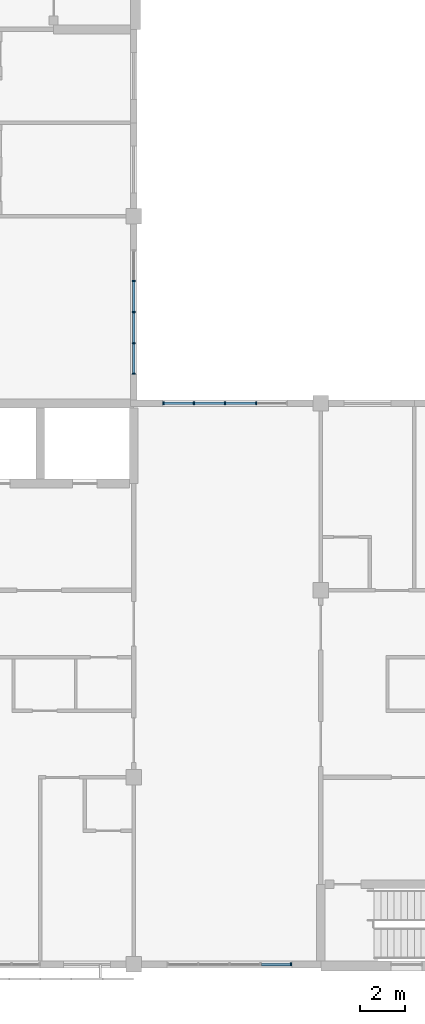
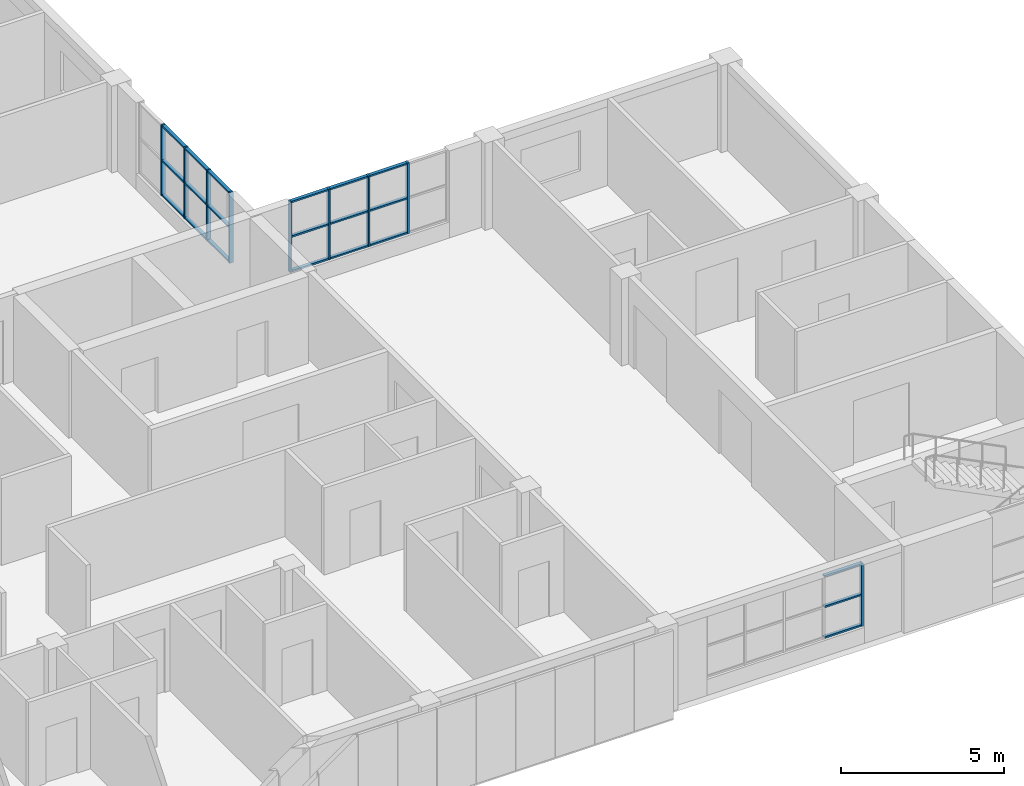
# One storey, part 4 of 46: 30 members, 3 elements without a shape of their own.
"""IFC4 building model written with IfcOpenShell, lengths in metres."""

from ifc_helpers import new_model, si_unit, direction, frame, origin, origin_2d, place, context, subcontext, project, spatial, rectangle, extrude, material, material_profile, profile_set, type_object, element, aggregate, save


model = new_model("IFC4")

# Units and contexts
model_context = context("Model", 3, precision=1e-05, world=origin(), true_north=direction((0.0, 1.0)))
body_context = subcontext(model_context, "Body", "Model", "MODEL_VIEW")
ifc_project = project(units=[si_unit("LENGTHUNIT", "METRE"), si_unit("AREAUNIT", "SQUARE_METRE"), si_unit("VOLUMEUNIT", "CUBIC_METRE"), si_unit("PLANEANGLEUNIT", "RADIAN"), si_unit("MASSUNIT", "GRAM", prefix="KILO")], contexts=[model_context])

# Site, building, storey
site_placement = place(None, origin())
site = spatial("IfcSite", under=ifc_project, at=site_placement, CompositionType="ELEMENT")
building_placement = place(site_placement, origin())
building = spatial("IfcBuilding", under=site, at=building_placement, Name="Yavir Park General Hospital", CompositionType="ELEMENT")
storey_placement = place(building_placement, frame((0.0, 0.0, 18.89990234375)))
storey = spatial("IfcBuildingStorey", under=building, at=storey_placement, Name="L04", CompositionType="ELEMENT", Elevation=18.89990234375)

# Curtain wall, members
ifc_material_1 = material(Name="Aluminium curtain wall frame with insulated glazing", Category="aluminium")
curtain_wall_type_1 = type_object("IfcCurtainWallType", Name="Day room pocket glazing, ward floors, 2360 high, 1400 module", PredefinedType="NOTDEFINED", material=ifc_material_1)
curtain_wall_1_placement = place(storey_placement, origin())
curtain_wall_1 = element("IfcCurtainWall", 1, at=curtain_wall_1_placement, inside=storey, type_object=curtain_wall_type_1, Name="CW6 L04-002", PredefinedType="NOTDEFINED")
ifc_material_2 = material(Name="Aluminium", Category="aluminium")
ifc_material_profile_1 = material_profile(ifc_material_2, rectangle(XDim=0.139892578125, YDim=0.06005859375, at=origin_2d()), Name="AL 60x140")
ifc_profile_set_1 = profile_set([ifc_material_profile_1], Name="Aluminium")
member_type_1 = type_object("IfcMemberType", Name="Day room pocket glazing, ward floors, 2360 high mullion 60 x 140", PredefinedType="MULLION", material=ifc_profile_set_1)
member_1_placement = place(storey_placement, frame((32.27001953125, 0.0, 0.60009765625), z_axis=(0.0, 0.0, 1.0), x_axis=(0.0, 1.0, 0.0)))
member_1 = element("IfcMember", 2, at=member_1_placement, type_object=member_type_1, Name="CW6 mullion 5", PredefinedType="MULLION", context=body_context, shape_type="SweptSolid", body=[
    extrude(rectangle(XDim=0.139892578125, YDim=0.06005859375, at=origin_2d()), origin(), (0.0, 0.0, 1.0), 2.360107421875),
])
ifc_material_3 = material(Name="Aluminium", Category="aluminium")
ifc_material_profile_2 = material_profile(ifc_material_3, rectangle(XDim=0.1201171875, YDim=0.06005859375, at=origin_2d()), Name="AL 120x60")
ifc_profile_set_2 = profile_set([ifc_material_profile_2], Name="Aluminium")
member_type_2 = type_object("IfcMemberType", Name="Day room pocket glazing, ward floors, 2360 high transom 60 x 120", PredefinedType="MULLION", material=ifc_profile_set_2)
member_2_placement = place(storey_placement, frame((30.929931640625, 0.0, 0.630126953125), z_axis=(1.0, 0.0, 0.0), x_axis=(0.0, 1.0, 0.0)))
member_2 = element("IfcMember", 3, at=member_2_placement, type_object=member_type_2, Name="CW6 transom 4.1", PredefinedType="MULLION", context=body_context, shape_type="SweptSolid", body=[
    extrude(rectangle(XDim=0.1201171875, YDim=0.06005859375, at=origin_2d()), origin(), (0.0, 0.0, 1.0), 1.31005859375),
])
member_3_placement = place(storey_placement, frame((30.929931640625, 0.0, 1.780029296875), z_axis=(1.0, 0.0, 0.0), x_axis=(0.0, 1.0, 0.0)))
member_3 = element("IfcMember", 4, at=member_3_placement, type_object=member_type_2, Name="CW6 transom 4.2", PredefinedType="MULLION", context=body_context, shape_type="SweptSolid", body=[
    extrude(rectangle(XDim=0.1201171875, YDim=0.06005859375, at=origin_2d()), origin(), (0.0, 0.0, 1.0), 1.31005859375),
])
member_4_placement = place(storey_placement, frame((30.929931640625, 0.0, 2.93017578125), z_axis=(1.0, 0.0, 0.0), x_axis=(0.0, 1.0, 0.0)))
member_4 = element("IfcMember", 5, at=member_4_placement, type_object=member_type_2, Name="CW6 transom 4.3", PredefinedType="MULLION", context=body_context, shape_type="SweptSolid", body=[
    extrude(rectangle(XDim=0.1201171875, YDim=0.06005859375, at=origin_2d()), origin(), (0.0, 0.0, 1.0), 1.31005859375),
])
aggregate(curtain_wall_1, [member_1, member_2, member_3, member_4])

ifc_material_4 = material(Name="Aluminium curtain wall frame with insulated glazing", Category="aluminium")
curtain_wall_type_2 = type_object("IfcCurtainWallType", Name="Day room pocket glazing, ward floors, 2660 high, 1400 module", PredefinedType="NOTDEFINED", material=ifc_material_4)
curtain_wall_2_placement = place(storey_placement, origin())
curtain_wall_2 = element("IfcCurtainWall", 6, at=curtain_wall_2_placement, inside=storey, type_object=curtain_wall_type_2, Name="CW62 L04-009", PredefinedType="NOTDEFINED")
ifc_material_5 = material(Name="Aluminium", Category="aluminium")
ifc_material_profile_3 = material_profile(ifc_material_5, rectangle(XDim=0.139892578125, YDim=0.06005859375, at=origin_2d()), Name="AL 60x140")
ifc_profile_set_3 = profile_set([ifc_material_profile_3], Name="Aluminium")
member_type_3 = type_object("IfcMemberType", Name="Day room pocket glazing, ward floors, 2660 high mullion 60 x 140", PredefinedType="MULLION", material=ifc_profile_set_3)
member_5_placement = place(storey_placement, frame((26.530029296875, 25.199951171875, 0.60009765625), z_axis=(0.0, 0.0, 1.0), x_axis=(0.0, 1.0, 0.0)))
member_5 = element("IfcMember", 7, at=member_5_placement, type_object=member_type_3, Name="CW62 mullion 1", PredefinedType="MULLION", context=body_context, shape_type="SweptSolid", body=[
    extrude(rectangle(XDim=0.139892578125, YDim=0.06005859375, at=origin_2d()), origin(), (0.0, 0.0, 1.0), 2.659912109375),
])
member_6_placement = place(storey_placement, frame((27.89990234375, 25.199951171875, 0.60009765625), z_axis=(0.0, 0.0, 1.0), x_axis=(0.0, 1.0, 0.0)))
member_6 = element("IfcMember", 8, at=member_6_placement, type_object=member_type_3, Name="CW62 mullion 2", PredefinedType="MULLION", context=body_context, shape_type="SweptSolid", body=[
    extrude(rectangle(XDim=0.139892578125, YDim=0.06005859375, at=origin_2d()), origin(), (0.0, 0.0, 1.0), 2.659912109375),
])
member_7_placement = place(storey_placement, frame((29.300048828125, 25.199951171875, 0.60009765625), z_axis=(0.0, 0.0, 1.0), x_axis=(0.0, 1.0, 0.0)))
member_7 = element("IfcMember", 9, at=member_7_placement, type_object=member_type_3, Name="CW62 mullion 3", PredefinedType="MULLION", context=body_context, shape_type="SweptSolid", body=[
    extrude(rectangle(XDim=0.139892578125, YDim=0.06005859375, at=origin_2d()), origin(), (0.0, 0.0, 1.0), 2.659912109375),
])
member_8_placement = place(storey_placement, frame((30.699951171875, 25.199951171875, 0.60009765625), z_axis=(0.0, 0.0, 1.0), x_axis=(0.0, 1.0, 0.0)))
member_8 = element("IfcMember", 10, at=member_8_placement, type_object=member_type_3, Name="CW62 mullion 4", PredefinedType="MULLION", context=body_context, shape_type="SweptSolid", body=[
    extrude(rectangle(XDim=0.139892578125, YDim=0.06005859375, at=origin_2d()), origin(), (0.0, 0.0, 1.0), 2.659912109375),
])

curtain_wall_3_placement = place(storey_placement, origin())
curtain_wall_3 = element("IfcCurtainWall", 11, at=curtain_wall_3_placement, inside=storey, type_object=curtain_wall_type_2, Name="CW62 L04-021", PredefinedType="NOTDEFINED")
member_9_placement = place(storey_placement, frame((25.199951171875, 26.530029296875, 0.60009765625), z_axis=(0.0, 0.0, 1.0), x_axis=(-1.0, 0.0, 0.0)))
member_9 = element("IfcMember", 12, at=member_9_placement, type_object=member_type_3, Name="CW62 mullion 1", PredefinedType="MULLION", context=body_context, shape_type="SweptSolid", body=[
    extrude(rectangle(XDim=0.139892578125, YDim=0.06005859375, at=origin_2d()), origin(), (0.0, 0.0, 1.0), 2.659912109375),
])
member_10_placement = place(storey_placement, frame((25.199951171875, 27.89990234375, 0.60009765625), z_axis=(0.0, 0.0, 1.0), x_axis=(-1.0, 0.0, 0.0)))
member_10 = element("IfcMember", 13, at=member_10_placement, type_object=member_type_3, Name="CW62 mullion 2", PredefinedType="MULLION", context=body_context, shape_type="SweptSolid", body=[
    extrude(rectangle(XDim=0.139892578125, YDim=0.06005859375, at=origin_2d()), origin(), (0.0, 0.0, 1.0), 2.659912109375),
])
member_11_placement = place(storey_placement, frame((25.199951171875, 29.300048828125, 0.60009765625), z_axis=(0.0, 0.0, 1.0), x_axis=(-1.0, 0.0, 0.0)))
member_11 = element("IfcMember", 14, at=member_11_placement, type_object=member_type_3, Name="CW62 mullion 3", PredefinedType="MULLION", context=body_context, shape_type="SweptSolid", body=[
    extrude(rectangle(XDim=0.139892578125, YDim=0.06005859375, at=origin_2d()), origin(), (0.0, 0.0, 1.0), 2.659912109375),
])
member_12_placement = place(storey_placement, frame((25.199951171875, 30.699951171875, 0.60009765625), z_axis=(0.0, 0.0, 1.0), x_axis=(-1.0, 0.0, 0.0)))
member_12 = element("IfcMember", 15, at=member_12_placement, type_object=member_type_3, Name="CW62 mullion 4", PredefinedType="MULLION", context=body_context, shape_type="SweptSolid", body=[
    extrude(rectangle(XDim=0.139892578125, YDim=0.06005859375, at=origin_2d()), origin(), (0.0, 0.0, 1.0), 2.659912109375),
])

# Member
ifc_material_6 = material(Name="Aluminium", Category="aluminium")
ifc_material_profile_4 = material_profile(ifc_material_6, rectangle(XDim=0.1201171875, YDim=0.06005859375, at=origin_2d()), Name="AL 120x60")
ifc_profile_set_4 = profile_set([ifc_material_profile_4], Name="Aluminium")
member_type_4 = type_object("IfcMemberType", Name="Day room pocket glazing, ward floors, 2660 high transom 60 x 120", PredefinedType="MULLION", material=ifc_profile_set_4)
member_13_placement = place(storey_placement, frame((26.56005859375, 25.199951171875, 0.630126953125), z_axis=(1.0, 0.0, 0.0), x_axis=(0.0, 1.0, 0.0)))
member_13 = element("IfcMember", 16, at=member_13_placement, type_object=member_type_4, Name="CW62 transom 1.1", PredefinedType="MULLION", context=body_context, shape_type="SweptSolid", body=[
    extrude(rectangle(XDim=0.1201171875, YDim=0.06005859375, at=origin_2d()), origin(), (0.0, 0.0, 1.0), 1.31005859375),
])

member_14_placement = place(storey_placement, frame((26.56005859375, 25.199951171875, 1.93017578125), z_axis=(1.0, 0.0, 0.0), x_axis=(0.0, 1.0, 0.0)))
member_14 = element("IfcMember", 17, at=member_14_placement, type_object=member_type_4, Name="CW62 transom 1.2", PredefinedType="MULLION", context=body_context, shape_type="SweptSolid", body=[
    extrude(rectangle(XDim=0.1201171875, YDim=0.06005859375, at=origin_2d()), origin(), (0.0, 0.0, 1.0), 1.31005859375),
])

member_15_placement = place(storey_placement, frame((26.56005859375, 25.199951171875, 3.22998046875), z_axis=(1.0, 0.0, 0.0), x_axis=(0.0, 1.0, 0.0)))
member_15 = element("IfcMember", 18, at=member_15_placement, type_object=member_type_4, Name="CW62 transom 1.3", PredefinedType="MULLION", context=body_context, shape_type="SweptSolid", body=[
    extrude(rectangle(XDim=0.1201171875, YDim=0.06005859375, at=origin_2d()), origin(), (0.0, 0.0, 1.0), 1.31005859375),
])

member_16_placement = place(storey_placement, frame((27.929931640625, 25.199951171875, 0.630126953125), z_axis=(1.0, 0.0, 0.0), x_axis=(0.0, 1.0, 0.0)))
member_16 = element("IfcMember", 19, at=member_16_placement, type_object=member_type_4, Name="CW62 transom 2.1", PredefinedType="MULLION", context=body_context, shape_type="SweptSolid", body=[
    extrude(rectangle(XDim=0.1201171875, YDim=0.06005859375, at=origin_2d()), origin(), (0.0, 0.0, 1.0), 1.340087890625),
])

member_17_placement = place(storey_placement, frame((27.929931640625, 25.199951171875, 1.93017578125), z_axis=(1.0, 0.0, 0.0), x_axis=(0.0, 1.0, 0.0)))
member_17 = element("IfcMember", 20, at=member_17_placement, type_object=member_type_4, Name="CW62 transom 2.2", PredefinedType="MULLION", context=body_context, shape_type="SweptSolid", body=[
    extrude(rectangle(XDim=0.1201171875, YDim=0.06005859375, at=origin_2d()), origin(), (0.0, 0.0, 1.0), 1.340087890625),
])

member_18_placement = place(storey_placement, frame((27.929931640625, 25.199951171875, 3.22998046875), z_axis=(1.0, 0.0, 0.0), x_axis=(0.0, 1.0, 0.0)))
member_18 = element("IfcMember", 21, at=member_18_placement, type_object=member_type_4, Name="CW62 transom 2.3", PredefinedType="MULLION", context=body_context, shape_type="SweptSolid", body=[
    extrude(rectangle(XDim=0.1201171875, YDim=0.06005859375, at=origin_2d()), origin(), (0.0, 0.0, 1.0), 1.340087890625),
])

member_19_placement = place(storey_placement, frame((29.330078125, 25.199951171875, 0.630126953125), z_axis=(1.0, 0.0, 0.0), x_axis=(0.0, 1.0, 0.0)))
member_19 = element("IfcMember", 22, at=member_19_placement, type_object=member_type_4, Name="CW62 transom 3.1", PredefinedType="MULLION", context=body_context, shape_type="SweptSolid", body=[
    extrude(rectangle(XDim=0.1201171875, YDim=0.06005859375, at=origin_2d()), origin(), (0.0, 0.0, 1.0), 1.33984375),
])

member_20_placement = place(storey_placement, frame((29.330078125, 25.199951171875, 1.93017578125), z_axis=(1.0, 0.0, 0.0), x_axis=(0.0, 1.0, 0.0)))
member_20 = element("IfcMember", 23, at=member_20_placement, type_object=member_type_4, Name="CW62 transom 3.2", PredefinedType="MULLION", context=body_context, shape_type="SweptSolid", body=[
    extrude(rectangle(XDim=0.1201171875, YDim=0.06005859375, at=origin_2d()), origin(), (0.0, 0.0, 1.0), 1.33984375),
])

member_21_placement = place(storey_placement, frame((29.330078125, 25.199951171875, 3.22998046875), z_axis=(1.0, 0.0, 0.0), x_axis=(0.0, 1.0, 0.0)))
member_21 = element("IfcMember", 24, at=member_21_placement, type_object=member_type_4, Name="CW62 transom 3.3", PredefinedType="MULLION", context=body_context, shape_type="SweptSolid", body=[
    extrude(rectangle(XDim=0.1201171875, YDim=0.06005859375, at=origin_2d()), origin(), (0.0, 0.0, 1.0), 1.33984375),
])

aggregate(curtain_wall_2, [member_5, member_6, member_7, member_8, member_13, member_14, member_15, member_16, member_17, member_18, member_19, member_20, member_21])

member_22_placement = place(storey_placement, frame((25.199951171875, 26.56005859375, 0.630126953125), z_axis=(0.0, 1.0, 0.0), x_axis=(-1.0, 0.0, 0.0)))
member_22 = element("IfcMember", 25, at=member_22_placement, type_object=member_type_4, Name="CW62 transom 1.1", PredefinedType="MULLION", context=body_context, shape_type="SweptSolid", body=[
    extrude(rectangle(XDim=0.1201171875, YDim=0.06005859375, at=origin_2d()), origin(), (0.0, 0.0, 1.0), 1.31005859375),
])

member_23_placement = place(storey_placement, frame((25.199951171875, 26.56005859375, 1.93017578125), z_axis=(0.0, 1.0, 0.0), x_axis=(-1.0, 0.0, 0.0)))
member_23 = element("IfcMember", 26, at=member_23_placement, type_object=member_type_4, Name="CW62 transom 1.2", PredefinedType="MULLION", context=body_context, shape_type="SweptSolid", body=[
    extrude(rectangle(XDim=0.1201171875, YDim=0.06005859375, at=origin_2d()), origin(), (0.0, 0.0, 1.0), 1.31005859375),
])

member_24_placement = place(storey_placement, frame((25.199951171875, 26.56005859375, 3.22998046875), z_axis=(0.0, 1.0, 0.0), x_axis=(-1.0, 0.0, 0.0)))
member_24 = element("IfcMember", 27, at=member_24_placement, type_object=member_type_4, Name="CW62 transom 1.3", PredefinedType="MULLION", context=body_context, shape_type="SweptSolid", body=[
    extrude(rectangle(XDim=0.1201171875, YDim=0.06005859375, at=origin_2d()), origin(), (0.0, 0.0, 1.0), 1.31005859375),
])

member_25_placement = place(storey_placement, frame((25.199951171875, 27.929931640625, 0.630126953125), z_axis=(0.0, 1.0, 0.0), x_axis=(-1.0, 0.0, 0.0)))
member_25 = element("IfcMember", 28, at=member_25_placement, type_object=member_type_4, Name="CW62 transom 2.1", PredefinedType="MULLION", context=body_context, shape_type="SweptSolid", body=[
    extrude(rectangle(XDim=0.1201171875, YDim=0.06005859375, at=origin_2d()), origin(), (0.0, 0.0, 1.0), 1.340087890625),
])

member_26_placement = place(storey_placement, frame((25.199951171875, 27.929931640625, 1.93017578125), z_axis=(0.0, 1.0, 0.0), x_axis=(-1.0, 0.0, 0.0)))
member_26 = element("IfcMember", 29, at=member_26_placement, type_object=member_type_4, Name="CW62 transom 2.2", PredefinedType="MULLION", context=body_context, shape_type="SweptSolid", body=[
    extrude(rectangle(XDim=0.1201171875, YDim=0.06005859375, at=origin_2d()), origin(), (0.0, 0.0, 1.0), 1.340087890625),
])

member_27_placement = place(storey_placement, frame((25.199951171875, 27.929931640625, 3.22998046875), z_axis=(0.0, 1.0, 0.0), x_axis=(-1.0, 0.0, 0.0)))
member_27 = element("IfcMember", 30, at=member_27_placement, type_object=member_type_4, Name="CW62 transom 2.3", PredefinedType="MULLION", context=body_context, shape_type="SweptSolid", body=[
    extrude(rectangle(XDim=0.1201171875, YDim=0.06005859375, at=origin_2d()), origin(), (0.0, 0.0, 1.0), 1.340087890625),
])

member_28_placement = place(storey_placement, frame((25.199951171875, 29.330078125, 0.630126953125), z_axis=(0.0, 1.0, 0.0), x_axis=(-1.0, 0.0, 0.0)))
member_28 = element("IfcMember", 31, at=member_28_placement, type_object=member_type_4, Name="CW62 transom 3.1", PredefinedType="MULLION", context=body_context, shape_type="SweptSolid", body=[
    extrude(rectangle(XDim=0.1201171875, YDim=0.06005859375, at=origin_2d()), origin(), (0.0, 0.0, 1.0), 1.33984375),
])

member_29_placement = place(storey_placement, frame((25.199951171875, 29.330078125, 1.93017578125), z_axis=(0.0, 1.0, 0.0), x_axis=(-1.0, 0.0, 0.0)))
member_29 = element("IfcMember", 32, at=member_29_placement, type_object=member_type_4, Name="CW62 transom 3.2", PredefinedType="MULLION", context=body_context, shape_type="SweptSolid", body=[
    extrude(rectangle(XDim=0.1201171875, YDim=0.06005859375, at=origin_2d()), origin(), (0.0, 0.0, 1.0), 1.33984375),
])

member_30_placement = place(storey_placement, frame((25.199951171875, 29.330078125, 3.22998046875), z_axis=(0.0, 1.0, 0.0), x_axis=(-1.0, 0.0, 0.0)))
member_30 = element("IfcMember", 33, at=member_30_placement, type_object=member_type_4, Name="CW62 transom 3.3", PredefinedType="MULLION", context=body_context, shape_type="SweptSolid", body=[
    extrude(rectangle(XDim=0.1201171875, YDim=0.06005859375, at=origin_2d()), origin(), (0.0, 0.0, 1.0), 1.33984375),
])

aggregate(curtain_wall_3, [member_9, member_10, member_11, member_12, member_22, member_23, member_24, member_25, member_26, member_27, member_28, member_29, member_30])

save(model, "model.ifc")
